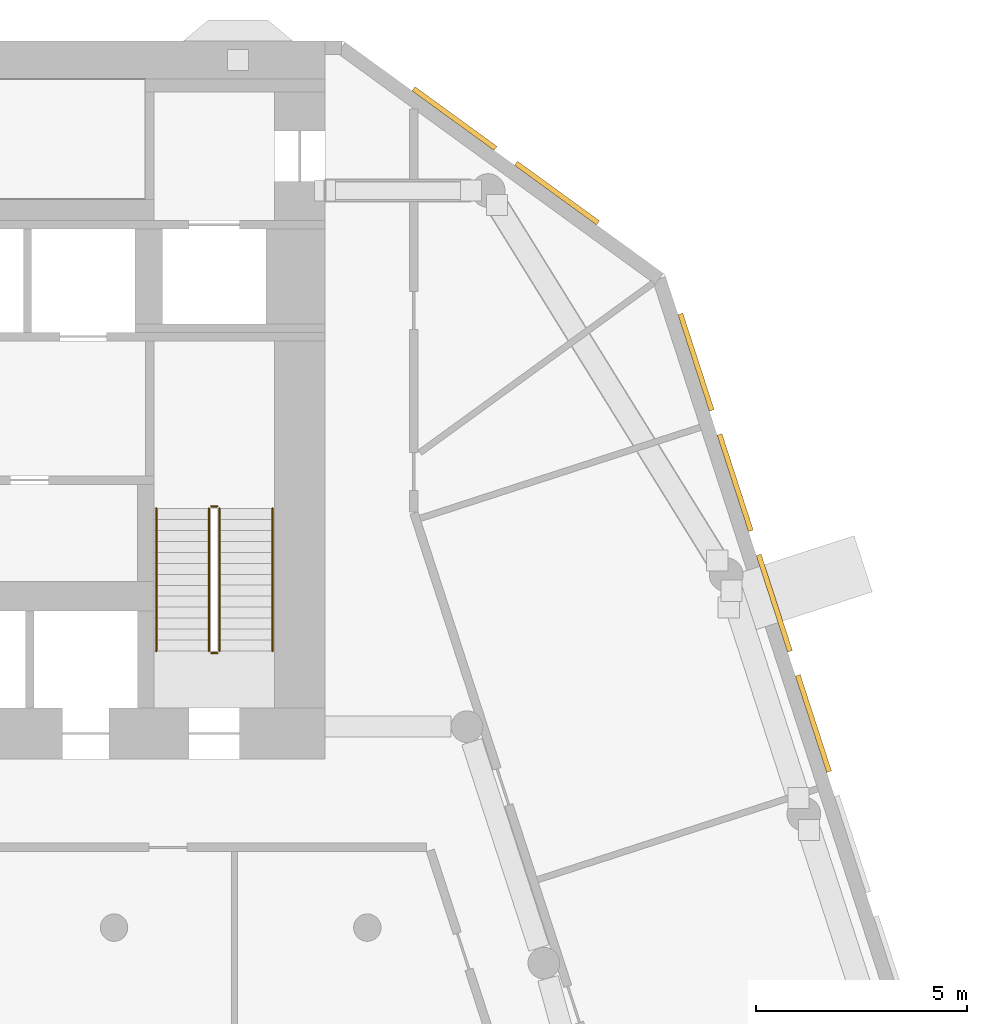
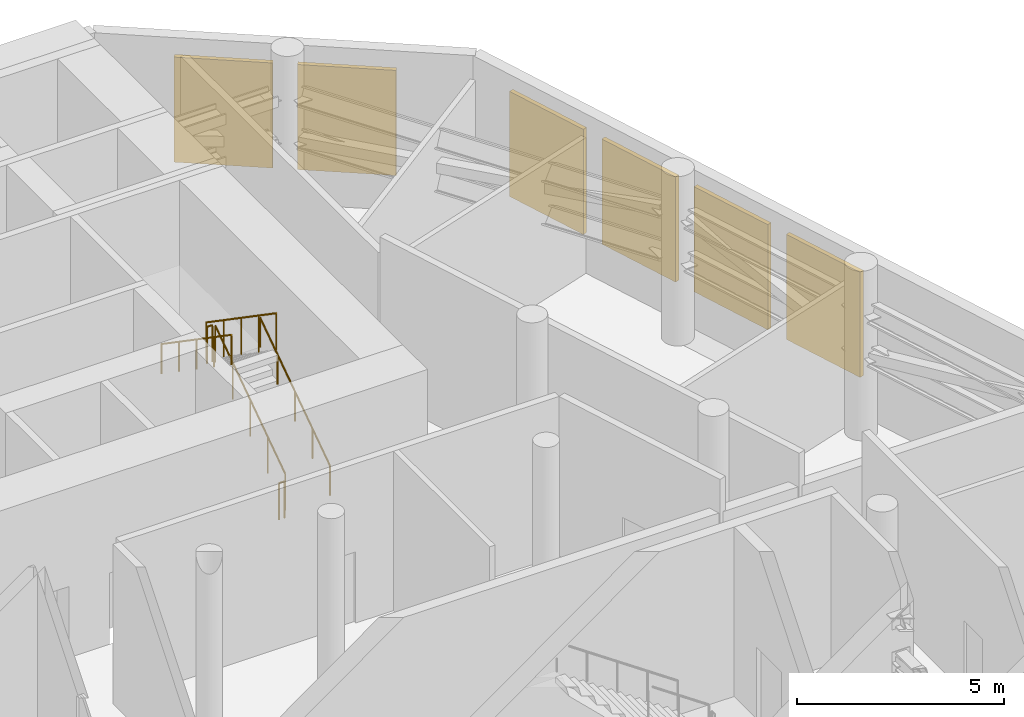
# One storey, part 15 of 15: 6 railings, 6 shading devices.
"""IFC4 building model written with IfcOpenShell, lengths in metres."""

from ifc_helpers import new_model, si_unit, direction, frame, origin, origin_2d, place, context, subcontext, project, spatial, rectangle, circle, extrude, material, type_object, element, save


model = new_model("IFC4")

# Units and contexts
model_context = context("Model", 3, precision=1e-05, world=origin(), true_north=direction((0.0, 1.0)))
body_context = subcontext(model_context, "Body", "Model", "MODEL_VIEW")
ifc_project = project(units=[si_unit("LENGTHUNIT", "METRE"), si_unit("AREAUNIT", "SQUARE_METRE"), si_unit("VOLUMEUNIT", "CUBIC_METRE"), si_unit("PLANEANGLEUNIT", "RADIAN"), si_unit("MASSUNIT", "GRAM", prefix="KILO")], contexts=[model_context])

# Site, building, storey
site_placement = place(None, origin())
site = spatial("IfcSite", under=ifc_project, at=site_placement, CompositionType="ELEMENT")
building_placement = place(site_placement, origin())
building = spatial("IfcBuilding", under=site, at=building_placement, Name="White Candle Pilgrim Tower", CompositionType="ELEMENT")
storey_placement = place(building_placement, frame((0.0, 0.0, 85.800048828125)))
storey = spatial("IfcBuildingStorey", under=building, at=storey_placement, Name="L18", CompositionType="ELEMENT", Elevation=85.800048828125)

# Shading devices
ifc_material_1 = material(Name="Aluminium", Category="aluminium")
shading_device_type = type_object("IfcShadingDeviceType", Name="Plant louvre LV2 2400x3100 aluminium framed", PredefinedType="USERDEFINED", material=ifc_material_1)
for number, where, z_axis, x_axis, name in (
    (1, (92.56787109375, 71.8349609375, 0.7998046875), (0.0, 0.0, 1.0), (-0.309016991122, 0.951056517352, 0.0), "Plant louvre L18 ENE 4"),
    (2, (91.640869140625, 74.688232421875, 0.7998046875), (0.0, 0.0, 1.0), (-0.309016991122, 0.951056517352, 0.0), "Plant louvre L18 ENE 5"),
    (3, (90.7138671875, 77.54150390625, 0.7998046875), (0.0, 0.0, 1.0), (-0.309016991122, 0.951056517352, 0.0), "Plant louvre L18 ENE 6"),
    (4, (89.78662109375, 80.39453125, 0.7998046875), (0.0, 0.0, 1.0), (-0.309016991122, 0.951056517352, 0.0), "Plant louvre L18 ENE 7"),
    (5, (86.4921875, 84.4013671875, 0.7998046875), (0.0, 0.0, 1.0), (-0.809017001546, 0.587785242423, 0.0), "Plant louvre L18 NE chamfer 1"),
    (6, (84.06494140625, 86.164794921875, 0.7998046875), (0.0, 0.0, 1.0), (-0.809017001546, 0.587785242423, 0.0), "Plant louvre L18 NE chamfer 2"),
):
    element("IfcShadingDevice", number, at=place(storey_placement, frame(where, z_axis=z_axis, x_axis=x_axis)), inside=storey, type_object=shading_device_type, Name=name, ObjectType="LOUVRE", PredefinedType="USERDEFINED", context=body_context, shape_type="SweptSolid", body=[
        extrude(rectangle(XDim=2.39990234375, YDim=0.1201171875, at=origin_2d()), origin(), (0.0, 0.0, 1.0), 3.10009765625),
    ])

# Railings
ifc_material_2 = material(Name="Stainless steel", Category="steel")
railing_type_1 = type_object("IfcRailingType", Name="Stair guard stainless steel 1100 mm", PredefinedType="GUARDRAIL", material=ifc_material_2)
railing_1_placement = place(storey_placement, frame((78.5, 73.550048828125, 0.178466796875)))
element("IfcRailing", 7, at=railing_1_placement, inside=storey, type_object=railing_type_1, Name="L18 ST2 stair guard 1", PredefinedType="GUARDRAIL", context=body_context, shape_type="SweptSolid", body=[
    extrude(circle(Radius=0.02392578125, at=origin_2d()), frame((0.0, 0.0, 1.076171875), z_axis=(0.0, 0.824285065979, 0.566174999451), x_axis=(-1.0, 0.0, 0.0)), (0.0, 0.0, 1.0), 4.100341796875),
    extrude(circle(Radius=0.02099609375, at=origin_2d()), origin(), (0.0, 0.0, 1.0), 1.052001953125),
    extrude(circle(Radius=0.02099609375, at=origin_2d()), frame((0.0, 0.844970703125, 0.580322265625)), (0.0, 0.0, 1.0), 1.052001953125),
    extrude(circle(Radius=0.02099609375, at=origin_2d()), frame((0.0, 1.68994140625, 1.16064453125)), (0.0, 0.0, 1.0), 1.052001953125),
    extrude(circle(Radius=0.02099609375, at=origin_2d()), frame((0.0, 2.534912109375, 1.7412109375)), (0.0, 0.0, 1.0), 1.052001953125),
    extrude(circle(Radius=0.02099609375, at=origin_2d()), frame((0.0, 3.3798828125, 2.321533203125)), (0.0, 0.0, 1.0), 1.052001953125),
])
railing_2_placement = place(storey_placement, frame((78.449951171875, 76.97998046875, 2.5)))
element("IfcRailing", 8, at=railing_2_placement, inside=storey, type_object=railing_type_1, Name="L18 ST2 stair guard 2", PredefinedType="GUARDRAIL", context=body_context, shape_type="SweptSolid", body=[
    extrude(circle(Radius=0.02392578125, at=origin_2d()), frame((0.0, 0.0, 1.076171875), z_axis=(-1.0, 0.0, 0.0), x_axis=(0.0, -1.0, 0.0)), (0.0, 0.0, 1.0), 0.14990234375),
    extrude(circle(Radius=0.02099609375, at=origin_2d()), origin(), (0.0, 0.0, 1.0), 1.052001953125),
    extrude(circle(Radius=0.02099609375, at=origin_2d()), frame((-0.14990234375, 0.0, 0.0)), (0.0, 0.0, 1.0), 1.052001953125),
])
railing_3_placement = place(storey_placement, frame((78.25, 76.929931640625, 2.678466796875)))
element("IfcRailing", 9, at=railing_3_placement, inside=storey, type_object=railing_type_1, Name="L18 ST2 stair guard 3", PredefinedType="GUARDRAIL", context=body_context, shape_type="SweptSolid", body=[
    extrude(circle(Radius=0.02392578125, at=origin_2d()), frame((0.0, 0.0, 1.076171875), z_axis=(0.0, -0.824285065979, 0.566174999451), x_axis=(1.0, 0.0, 0.0)), (0.0, 0.0, 1.0), 4.100341796875),
    extrude(circle(Radius=0.02099609375, at=origin_2d()), origin(), (0.0, 0.0, 1.0), 1.052001953125),
    extrude(circle(Radius=0.02099609375, at=origin_2d()), frame((0.0, -0.844970703125, 0.580322265625)), (0.0, 0.0, 1.0), 1.052001953125),
    extrude(circle(Radius=0.02099609375, at=origin_2d()), frame((0.0, -1.68994140625, 1.16064453125)), (0.0, 0.0, 1.0), 1.052001953125),
    extrude(circle(Radius=0.02099609375, at=origin_2d()), frame((0.0, -2.534912109375, 1.7412109375)), (0.0, 0.0, 1.0), 1.052001953125),
    extrude(circle(Radius=0.02099609375, at=origin_2d()), frame((0.0, -3.3798828125, 2.321533203125)), (0.0, 0.0, 1.0), 1.052001953125),
])
railing_4_placement = place(storey_placement, frame((78.449951171875, 73.5, 0.0)))
element("IfcRailing", 10, at=railing_4_placement, inside=storey, type_object=railing_type_1, Name="L18 ST2 stair guard 4", PredefinedType="GUARDRAIL", context=body_context, shape_type="SweptSolid", body=[
    extrude(circle(Radius=0.02392578125, at=origin_2d()), frame((0.0, 0.0, 1.076171875), z_axis=(-1.0, 0.0, 0.0), x_axis=(0.0, -1.0, 0.0)), (0.0, 0.0, 1.0), 0.14990234375),
    extrude(circle(Radius=0.02099609375, at=origin_2d()), origin(), (0.0, 0.0, 1.0), 1.052001953125),
    extrude(circle(Radius=0.02099609375, at=origin_2d()), frame((-0.14990234375, 0.0, 0.0)), (0.0, 0.0, 1.0), 1.052001953125),
])
railing_type_2 = type_object("IfcRailingType", Name="Stair handrail stainless steel", PredefinedType="HANDRAIL", material=ifc_material_2)
railing_5_placement = place(storey_placement, frame((79.75, 73.550048828125, 0.178466796875)))
element("IfcRailing", 11, at=railing_5_placement, inside=storey, type_object=railing_type_2, Name="L18 ST2 stair handrail 1", PredefinedType="HANDRAIL", context=body_context, shape_type="SweptSolid", body=[
    extrude(circle(Radius=0.02392578125, at=origin_2d()), frame((0.0, 0.0, 0.8759765625), z_axis=(0.0, 0.824285065979, 0.566174999451), x_axis=(-1.0, 0.0, 0.0)), (0.0, 0.0, 1.0), 4.100341796875),
    extrude(circle(Radius=0.02099609375, at=origin_2d()), origin(), (0.0, 0.0, 1.0), 0.851806640625),
    extrude(circle(Radius=0.02099609375, at=origin_2d()), frame((0.0, 0.844970703125, 0.580322265625)), (0.0, 0.0, 1.0), 0.851806640625),
    extrude(circle(Radius=0.02099609375, at=origin_2d()), frame((0.0, 1.68994140625, 1.16064453125)), (0.0, 0.0, 1.0), 0.851806640625),
    extrude(circle(Radius=0.02099609375, at=origin_2d()), frame((0.0, 2.534912109375, 1.7412109375)), (0.0, 0.0, 1.0), 0.851806640625),
    extrude(circle(Radius=0.02099609375, at=origin_2d()), frame((0.0, 3.3798828125, 2.321533203125)), (0.0, 0.0, 1.0), 0.851806640625),
])
railing_6_placement = place(storey_placement, frame((77.0, 76.929931640625, 2.678466796875)))
element("IfcRailing", 12, at=railing_6_placement, inside=storey, type_object=railing_type_2, Name="L18 ST2 stair handrail 2", PredefinedType="HANDRAIL", context=body_context, shape_type="SweptSolid", body=[
    extrude(circle(Radius=0.02392578125, at=origin_2d()), frame((0.0, 0.0, 0.8759765625), z_axis=(0.0, -0.824285065979, 0.566174999451), x_axis=(1.0, 0.0, 0.0)), (0.0, 0.0, 1.0), 4.100341796875),
    extrude(circle(Radius=0.02099609375, at=origin_2d()), origin(), (0.0, 0.0, 1.0), 0.851806640625),
    extrude(circle(Radius=0.02099609375, at=origin_2d()), frame((0.0, -0.844970703125, 0.580322265625)), (0.0, 0.0, 1.0), 0.851806640625),
    extrude(circle(Radius=0.02099609375, at=origin_2d()), frame((0.0, -1.68994140625, 1.16064453125)), (0.0, 0.0, 1.0), 0.851806640625),
    extrude(circle(Radius=0.02099609375, at=origin_2d()), frame((0.0, -2.534912109375, 1.7412109375)), (0.0, 0.0, 1.0), 0.851806640625),
    extrude(circle(Radius=0.02099609375, at=origin_2d()), frame((0.0, -3.3798828125, 2.321533203125)), (0.0, 0.0, 1.0), 0.851806640625),
])

save(model, "model.ifc")
